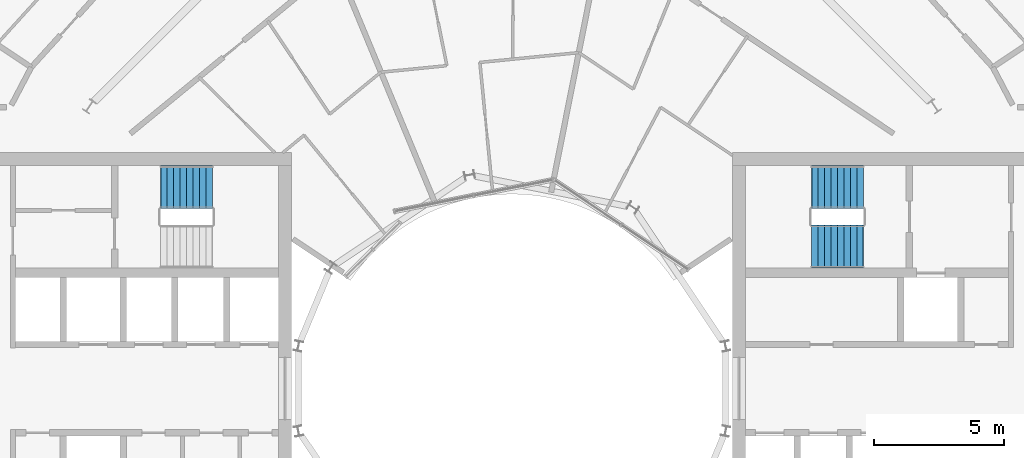
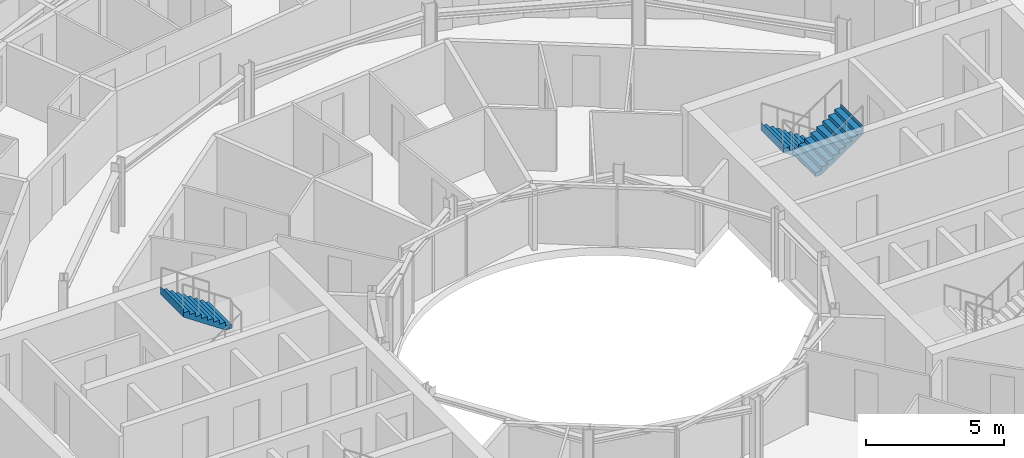
# One storey, part 25 of 27: 3 stair flights, 2 elements without a shape of their own.
"""IFC4 building model written with IfcOpenShell, lengths in metres."""

from ifc_helpers import new_model, si_unit, direction, frame, origin, place, context, subcontext, project, spatial, triangles, material, type_object, element, aggregate, save


model = new_model("IFC4")

# Units and contexts
model_context = context("Model", 3, precision=1e-05, world=origin(), true_north=direction((0.0, 1.0)))
body_context = subcontext(model_context, "Body", "Model", "MODEL_VIEW")
ifc_project = project(units=[si_unit("LENGTHUNIT", "METRE"), si_unit("AREAUNIT", "SQUARE_METRE"), si_unit("VOLUMEUNIT", "CUBIC_METRE"), si_unit("PLANEANGLEUNIT", "RADIAN"), si_unit("MASSUNIT", "GRAM", prefix="KILO")], contexts=[model_context])

# Site, building, storey
site_placement = place(None, origin())
site = spatial("IfcSite", under=ifc_project, at=site_placement, CompositionType="ELEMENT")
building_placement = place(site_placement, origin())
building = spatial("IfcBuilding", under=site, at=building_placement, Name="Maasbend Ring Residences", CompositionType="ELEMENT")
storey_placement = place(building_placement, frame((0.0, 0.0, 145.199951171875)))
storey = spatial("IfcBuildingStorey", under=building, at=storey_placement, Name="L41", CompositionType="ELEMENT", Elevation=145.199951171875)

# Stair, stair flights
ifc_material_1 = material(Name="Concrete C40/50", Category="concrete")
stair_type = type_object("IfcStairType", Name="CORE STAIR 18 RISERS", PredefinedType="HALF_TURN_STAIR", material=ifc_material_1)
stair_1_placement = place(storey_placement, origin())
stair_1 = element("IfcStair", 1, at=stair_1_placement, inside=storey, type_object=stair_type, Name="L41 Exit stair ST-E1", PredefinedType="HALF_TURN_STAIR")
ifc_material_2 = material(Name="Concrete C40/50", Category="concrete")
stair_flight_type = type_object("IfcStairFlightType", Name="CORE STAIR FLIGHT 1650", PredefinedType="STRAIGHT", material=ifc_material_2)
stair_flight_1_placement = place(storey_placement, frame((13.550048828125, 7.77490234375, 0.0), z_axis=(0.0, 0.0, 1.0), x_axis=(-1.0, 0.0, 0.0)))
stair_flight_1 = element("IfcStairFlight", 2, at=stair_flight_1_placement, type_object=stair_flight_type, Name="ST-E1 flight 1", NumberOfRisers=9, NumberOfTreads=8, PredefinedType="STRAIGHT", RiserHeight=0.169444444, TreadLength=0.25, context=body_context, shape_type="Tessellation", body=[
    triangles([(0.24072265625, 0.824951171875, -0.02001953125), (2.0029296875, 0.824951171875, 1.174560546875), (2.0029296875, 0.824951171875, 1.52490234375), (1.989990234375, 0.824951171875, 1.35546875), (1.75, 0.824951171875, 1.35546875), (1.75, 0.824951171875, 1.18603515625), (1.5, 0.824951171875, 1.18603515625), (1.5, 0.824951171875, 1.0166015625), (1.25, 0.824951171875, 1.0166015625), (1.25, 0.824951171875, 0.84716796875), (1.0, 0.824951171875, 0.84716796875), (1.0, 0.824951171875, 0.677734375), (0.75, 0.824951171875, 0.677734375), (0.75, 0.824951171875, 0.50830078125), (0.5, 0.824951171875, 0.50830078125), (0.5, 0.824951171875, 0.3388671875), (0.25, 0.824951171875, 0.3388671875), (0.25, 0.824951171875, 0.16943359375), (0.0, 0.824951171875, 0.16943359375), (0.0, 0.824951171875, 0.0), (-0.0029296875, 0.824951171875, 0.0), (-0.0029296875, 0.824951171875, -0.02001953125), (0.24072265625, 0.27490234375, -0.02001953125), (2.0029296875, 0.27490234375, 1.174560546875), (2.0029296875, 0.27490234375, 1.52490234375), (1.989990234375, 0.27490234375, 1.35546875), (1.75, 0.27490234375, 1.35546875), (1.75, 0.27490234375, 1.18603515625), (1.5, 0.27490234375, 1.18603515625), (1.5, 0.27490234375, 1.0166015625), (1.25, 0.27490234375, 1.0166015625), (1.25, 0.27490234375, 0.84716796875), (1.0, 0.27490234375, 0.84716796875), (1.0, 0.27490234375, 0.677734375), (0.75, 0.27490234375, 0.677734375), (0.75, 0.27490234375, 0.50830078125), (0.5, 0.27490234375, 0.50830078125), (0.5, 0.27490234375, 0.3388671875), (0.25, 0.27490234375, 0.3388671875), (0.25, 0.27490234375, 0.16943359375), (0.0, 0.27490234375, 0.16943359375), (0.0, 0.27490234375, 0.0), (-0.0029296875, 0.27490234375, 0.0), (-0.0029296875, 0.27490234375, -0.02001953125), (0.24072265625, -0.27490234375, -0.02001953125), (2.0029296875, -0.27490234375, 1.174560546875), (2.0029296875, -0.27490234375, 1.52490234375), (1.989990234375, -0.27490234375, 1.35546875), (1.75, -0.27490234375, 1.35546875), (1.75, -0.27490234375, 1.18603515625), (1.5, -0.27490234375, 1.18603515625), (1.5, -0.27490234375, 1.0166015625), (1.25, -0.27490234375, 1.0166015625), (1.25, -0.27490234375, 0.84716796875), (1.0, -0.27490234375, 0.84716796875), (1.0, -0.27490234375, 0.677734375), (0.75, -0.27490234375, 0.677734375), (0.75, -0.27490234375, 0.50830078125), (0.5, -0.27490234375, 0.50830078125), (0.5, -0.27490234375, 0.3388671875), (0.25, -0.27490234375, 0.3388671875), (0.25, -0.27490234375, 0.16943359375), (0.0, -0.27490234375, 0.16943359375), (0.0, -0.27490234375, 0.0), (-0.0029296875, -0.27490234375, 0.0), (-0.0029296875, -0.27490234375, -0.02001953125), (0.24072265625, -0.824951171875, -0.02001953125), (2.0029296875, -0.824951171875, 1.174560546875), (2.0029296875, -0.824951171875, 1.52490234375), (1.989990234375, -0.824951171875, 1.35546875), (1.75, -0.824951171875, 1.35546875), (1.75, -0.824951171875, 1.18603515625), (1.5, -0.824951171875, 1.18603515625), (1.5, -0.824951171875, 1.0166015625), (1.25, -0.824951171875, 1.0166015625), (1.25, -0.824951171875, 0.84716796875), (1.0, -0.824951171875, 0.84716796875), (1.0, -0.824951171875, 0.677734375), (0.75, -0.824951171875, 0.677734375), (0.75, -0.824951171875, 0.50830078125), (0.5, -0.824951171875, 0.50830078125), (0.5, -0.824951171875, 0.3388671875), (0.25, -0.824951171875, 0.3388671875), (0.25, -0.824951171875, 0.16943359375), (0.0, -0.824951171875, 0.16943359375), (0.0, -0.824951171875, 0.0), (-0.0029296875, -0.824951171875, 0.0), (-0.0029296875, -0.824951171875, -0.02001953125)], [[1, 2, 24], [1, 24, 23], [23, 24, 46], [23, 46, 45], [45, 46, 68], [45, 68, 67], [2, 3, 25], [2, 25, 24], [24, 25, 47], [24, 47, 46], [46, 47, 69], [46, 69, 68], [3, 4, 26], [3, 26, 25], [25, 26, 48], [25, 48, 47], [47, 48, 70], [47, 70, 69], [4, 5, 27], [4, 27, 26], [26, 27, 49], [26, 49, 48], [48, 49, 71], [48, 71, 70], [5, 6, 28], [5, 28, 27], [27, 28, 50], [27, 50, 49], [49, 50, 72], [49, 72, 71], [6, 7, 29], [6, 29, 28], [28, 29, 51], [28, 51, 50], [50, 51, 73], [50, 73, 72], [7, 8, 30], [7, 30, 29], [29, 30, 52], [29, 52, 51], [51, 52, 74], [51, 74, 73], [8, 9, 31], [8, 31, 30], [30, 31, 53], [30, 53, 52], [52, 53, 75], [52, 75, 74], [9, 10, 32], [9, 32, 31], [31, 32, 54], [31, 54, 53], [53, 54, 76], [53, 76, 75], [10, 11, 33], [10, 33, 32], [32, 33, 55], [32, 55, 54], [54, 55, 77], [54, 77, 76], [11, 12, 34], [11, 34, 33], [33, 34, 56], [33, 56, 55], [55, 56, 78], [55, 78, 77], [12, 13, 35], [12, 35, 34], [34, 35, 57], [34, 57, 56], [56, 57, 79], [56, 79, 78], [13, 14, 36], [13, 36, 35], [35, 36, 58], [35, 58, 57], [57, 58, 80], [57, 80, 79], [14, 15, 37], [14, 37, 36], [36, 37, 59], [36, 59, 58], [58, 59, 81], [58, 81, 80], [15, 16, 38], [15, 38, 37], [37, 38, 60], [37, 60, 59], [59, 60, 82], [59, 82, 81], [16, 17, 39], [16, 39, 38], [38, 39, 61], [38, 61, 60], [60, 61, 83], [60, 83, 82], [17, 18, 40], [17, 40, 39], [39, 40, 62], [39, 62, 61], [61, 62, 84], [61, 84, 83], [18, 19, 41], [18, 41, 40], [40, 41, 63], [40, 63, 62], [62, 63, 85], [62, 85, 84], [19, 20, 42], [19, 42, 41], [41, 42, 64], [41, 64, 63], [63, 64, 86], [63, 86, 85], [20, 21, 43], [20, 43, 42], [42, 43, 65], [42, 65, 64], [64, 65, 87], [64, 87, 86], [21, 22, 44], [21, 44, 43], [43, 44, 66], [43, 66, 65], [65, 66, 88], [65, 88, 87], [22, 1, 23], [22, 23, 44], [44, 23, 45], [44, 45, 66], [66, 45, 67], [66, 67, 88], [22, 2, 1], [2, 4, 3], [2, 5, 4], [2, 6, 5], [22, 6, 2], [6, 8, 7], [22, 8, 6], [8, 10, 9], [22, 10, 8], [10, 12, 11], [22, 12, 10], [12, 14, 13], [22, 14, 12], [14, 16, 15], [22, 16, 14], [16, 18, 17], [22, 18, 16], [18, 20, 19], [22, 20, 18], [20, 22, 21], [88, 67, 68], [68, 69, 70], [68, 70, 71], [68, 71, 72], [88, 68, 72], [72, 73, 74], [88, 72, 74], [74, 75, 76], [88, 74, 76], [76, 77, 78], [88, 76, 78], [78, 79, 80], [88, 78, 80], [80, 81, 82], [88, 80, 82], [82, 83, 84], [88, 82, 84], [84, 85, 86], [88, 84, 86], [86, 87, 88]], closed=True),
])
stair_flight_2_placement = place(storey_placement, frame((11.550048828125, 5.47509765625, 1.525146484375), z_axis=(0.0, 0.0, 1.0), x_axis=(1.0, 0.0, 0.0)))
stair_flight_2 = element("IfcStairFlight", 3, at=stair_flight_2_placement, type_object=stair_flight_type, Name="ST-E1 flight 2", NumberOfRisers=9, NumberOfTreads=8, PredefinedType="STRAIGHT", RiserHeight=0.169444444, TreadLength=0.25, context=body_context, shape_type="Tessellation", body=[
    triangles([(0.24072265625, 0.824951171875, -0.02001953125), (2.0029296875, 0.824951171875, 1.174560546875), (2.0029296875, 0.824951171875, 1.52490234375), (1.989990234375, 0.824951171875, 1.35546875), (1.75, 0.824951171875, 1.35546875), (1.75, 0.824951171875, 1.18603515625), (1.5, 0.824951171875, 1.18603515625), (1.5, 0.824951171875, 1.0166015625), (1.25, 0.824951171875, 1.0166015625), (1.25, 0.824951171875, 0.84716796875), (1.0, 0.824951171875, 0.84716796875), (1.0, 0.824951171875, 0.677734375), (0.75, 0.824951171875, 0.677734375), (0.75, 0.824951171875, 0.50830078125), (0.5, 0.824951171875, 0.50830078125), (0.5, 0.824951171875, 0.3388671875), (0.25, 0.824951171875, 0.3388671875), (0.25, 0.824951171875, 0.16943359375), (0.0, 0.824951171875, 0.16943359375), (0.0, 0.824951171875, 0.0), (-0.0029296875, 0.824951171875, 0.0), (-0.0029296875, 0.824951171875, -0.02001953125), (0.24072265625, 0.27490234375, -0.02001953125), (2.0029296875, 0.27490234375, 1.174560546875), (2.0029296875, 0.27490234375, 1.52490234375), (1.989990234375, 0.27490234375, 1.35546875), (1.75, 0.27490234375, 1.35546875), (1.75, 0.27490234375, 1.18603515625), (1.5, 0.27490234375, 1.18603515625), (1.5, 0.27490234375, 1.0166015625), (1.25, 0.27490234375, 1.0166015625), (1.25, 0.27490234375, 0.84716796875), (1.0, 0.27490234375, 0.84716796875), (1.0, 0.27490234375, 0.677734375), (0.75, 0.27490234375, 0.677734375), (0.75, 0.27490234375, 0.50830078125), (0.5, 0.27490234375, 0.50830078125), (0.5, 0.27490234375, 0.3388671875), (0.25, 0.27490234375, 0.3388671875), (0.25, 0.27490234375, 0.16943359375), (0.0, 0.27490234375, 0.16943359375), (0.0, 0.27490234375, 0.0), (-0.0029296875, 0.27490234375, 0.0), (-0.0029296875, 0.27490234375, -0.02001953125), (0.24072265625, -0.27490234375, -0.02001953125), (2.0029296875, -0.27490234375, 1.174560546875), (2.0029296875, -0.27490234375, 1.52490234375), (1.989990234375, -0.27490234375, 1.35546875), (1.75, -0.27490234375, 1.35546875), (1.75, -0.27490234375, 1.18603515625), (1.5, -0.27490234375, 1.18603515625), (1.5, -0.27490234375, 1.0166015625), (1.25, -0.27490234375, 1.0166015625), (1.25, -0.27490234375, 0.84716796875), (1.0, -0.27490234375, 0.84716796875), (1.0, -0.27490234375, 0.677734375), (0.75, -0.27490234375, 0.677734375), (0.75, -0.27490234375, 0.50830078125), (0.5, -0.27490234375, 0.50830078125), (0.5, -0.27490234375, 0.3388671875), (0.25, -0.27490234375, 0.3388671875), (0.25, -0.27490234375, 0.16943359375), (0.0, -0.27490234375, 0.16943359375), (0.0, -0.27490234375, 0.0), (-0.0029296875, -0.27490234375, 0.0), (-0.0029296875, -0.27490234375, -0.02001953125), (0.24072265625, -0.824951171875, -0.02001953125), (2.0029296875, -0.824951171875, 1.174560546875), (2.0029296875, -0.824951171875, 1.52490234375), (1.989990234375, -0.824951171875, 1.35546875), (1.75, -0.824951171875, 1.35546875), (1.75, -0.824951171875, 1.18603515625), (1.5, -0.824951171875, 1.18603515625), (1.5, -0.824951171875, 1.0166015625), (1.25, -0.824951171875, 1.0166015625), (1.25, -0.824951171875, 0.84716796875), (1.0, -0.824951171875, 0.84716796875), (1.0, -0.824951171875, 0.677734375), (0.75, -0.824951171875, 0.677734375), (0.75, -0.824951171875, 0.50830078125), (0.5, -0.824951171875, 0.50830078125), (0.5, -0.824951171875, 0.3388671875), (0.25, -0.824951171875, 0.3388671875), (0.25, -0.824951171875, 0.16943359375), (0.0, -0.824951171875, 0.16943359375), (0.0, -0.824951171875, 0.0), (-0.0029296875, -0.824951171875, 0.0), (-0.0029296875, -0.824951171875, -0.02001953125)], [[1, 2, 24], [1, 24, 23], [23, 24, 46], [23, 46, 45], [45, 46, 68], [45, 68, 67], [2, 3, 25], [2, 25, 24], [24, 25, 47], [24, 47, 46], [46, 47, 69], [46, 69, 68], [3, 4, 26], [3, 26, 25], [25, 26, 48], [25, 48, 47], [47, 48, 70], [47, 70, 69], [4, 5, 27], [4, 27, 26], [26, 27, 49], [26, 49, 48], [48, 49, 71], [48, 71, 70], [5, 6, 28], [5, 28, 27], [27, 28, 50], [27, 50, 49], [49, 50, 72], [49, 72, 71], [6, 7, 29], [6, 29, 28], [28, 29, 51], [28, 51, 50], [50, 51, 73], [50, 73, 72], [7, 8, 30], [7, 30, 29], [29, 30, 52], [29, 52, 51], [51, 52, 74], [51, 74, 73], [8, 9, 31], [8, 31, 30], [30, 31, 53], [30, 53, 52], [52, 53, 75], [52, 75, 74], [9, 10, 32], [9, 32, 31], [31, 32, 54], [31, 54, 53], [53, 54, 76], [53, 76, 75], [10, 11, 33], [10, 33, 32], [32, 33, 55], [32, 55, 54], [54, 55, 77], [54, 77, 76], [11, 12, 34], [11, 34, 33], [33, 34, 56], [33, 56, 55], [55, 56, 78], [55, 78, 77], [12, 13, 35], [12, 35, 34], [34, 35, 57], [34, 57, 56], [56, 57, 79], [56, 79, 78], [13, 14, 36], [13, 36, 35], [35, 36, 58], [35, 58, 57], [57, 58, 80], [57, 80, 79], [14, 15, 37], [14, 37, 36], [36, 37, 59], [36, 59, 58], [58, 59, 81], [58, 81, 80], [15, 16, 38], [15, 38, 37], [37, 38, 60], [37, 60, 59], [59, 60, 82], [59, 82, 81], [16, 17, 39], [16, 39, 38], [38, 39, 61], [38, 61, 60], [60, 61, 83], [60, 83, 82], [17, 18, 40], [17, 40, 39], [39, 40, 62], [39, 62, 61], [61, 62, 84], [61, 84, 83], [18, 19, 41], [18, 41, 40], [40, 41, 63], [40, 63, 62], [62, 63, 85], [62, 85, 84], [19, 20, 42], [19, 42, 41], [41, 42, 64], [41, 64, 63], [63, 64, 86], [63, 86, 85], [20, 21, 43], [20, 43, 42], [42, 43, 65], [42, 65, 64], [64, 65, 87], [64, 87, 86], [21, 22, 44], [21, 44, 43], [43, 44, 66], [43, 66, 65], [65, 66, 88], [65, 88, 87], [22, 1, 23], [22, 23, 44], [44, 23, 45], [44, 45, 66], [66, 45, 67], [66, 67, 88], [22, 2, 1], [2, 4, 3], [2, 5, 4], [2, 6, 5], [22, 6, 2], [6, 8, 7], [22, 8, 6], [8, 10, 9], [22, 10, 8], [10, 12, 11], [22, 12, 10], [12, 14, 13], [22, 14, 12], [14, 16, 15], [22, 16, 14], [16, 18, 17], [22, 18, 16], [18, 20, 19], [22, 20, 18], [20, 22, 21], [88, 67, 68], [68, 69, 70], [68, 70, 71], [68, 71, 72], [88, 68, 72], [72, 73, 74], [88, 72, 74], [74, 75, 76], [88, 74, 76], [76, 77, 78], [88, 76, 78], [78, 79, 80], [88, 78, 80], [80, 81, 82], [88, 80, 82], [82, 83, 84], [88, 82, 84], [84, 85, 86], [88, 84, 86], [86, 87, 88]], closed=True),
])
aggregate(stair_1, [stair_flight_1, stair_flight_2])

# Stair, stair flight
stair_2_placement = place(storey_placement, origin())
stair_2 = element("IfcStair", 4, at=stair_2_placement, inside=storey, type_object=stair_type, Name="L41 Exit stair ST-W2", PredefinedType="HALF_TURN_STAIR")
stair_flight_3_placement = place(storey_placement, frame((-11.550048828125, 7.77490234375, 1.525146484375), z_axis=(0.0, 0.0, 1.0), x_axis=(-1.0, 0.0, 0.0)))
stair_flight_3 = element("IfcStairFlight", 5, at=stair_flight_3_placement, type_object=stair_flight_type, Name="ST-W2 flight 2", NumberOfRisers=9, NumberOfTreads=8, PredefinedType="STRAIGHT", RiserHeight=0.169444444, TreadLength=0.25, context=body_context, shape_type="Tessellation", body=[
    triangles([(0.24072265625, 0.824951171875, -0.02001953125), (2.0029296875, 0.824951171875, 1.174560546875), (2.0029296875, 0.824951171875, 1.52490234375), (1.989990234375, 0.824951171875, 1.35546875), (1.75, 0.824951171875, 1.35546875), (1.75, 0.824951171875, 1.18603515625), (1.5, 0.824951171875, 1.18603515625), (1.5, 0.824951171875, 1.0166015625), (1.25, 0.824951171875, 1.0166015625), (1.25, 0.824951171875, 0.84716796875), (1.0, 0.824951171875, 0.84716796875), (1.0, 0.824951171875, 0.677734375), (0.75, 0.824951171875, 0.677734375), (0.75, 0.824951171875, 0.50830078125), (0.5, 0.824951171875, 0.50830078125), (0.5, 0.824951171875, 0.3388671875), (0.25, 0.824951171875, 0.3388671875), (0.25, 0.824951171875, 0.16943359375), (0.0, 0.824951171875, 0.16943359375), (0.0, 0.824951171875, 0.0), (-0.0029296875, 0.824951171875, 0.0), (-0.0029296875, 0.824951171875, -0.02001953125), (0.24072265625, 0.27490234375, -0.02001953125), (2.0029296875, 0.27490234375, 1.174560546875), (2.0029296875, 0.27490234375, 1.52490234375), (1.989990234375, 0.27490234375, 1.35546875), (1.75, 0.27490234375, 1.35546875), (1.75, 0.27490234375, 1.18603515625), (1.5, 0.27490234375, 1.18603515625), (1.5, 0.27490234375, 1.0166015625), (1.25, 0.27490234375, 1.0166015625), (1.25, 0.27490234375, 0.84716796875), (1.0, 0.27490234375, 0.84716796875), (1.0, 0.27490234375, 0.677734375), (0.75, 0.27490234375, 0.677734375), (0.75, 0.27490234375, 0.50830078125), (0.5, 0.27490234375, 0.50830078125), (0.5, 0.27490234375, 0.3388671875), (0.25, 0.27490234375, 0.3388671875), (0.25, 0.27490234375, 0.16943359375), (0.0, 0.27490234375, 0.16943359375), (0.0, 0.27490234375, 0.0), (-0.0029296875, 0.27490234375, 0.0), (-0.0029296875, 0.27490234375, -0.02001953125), (0.24072265625, -0.27490234375, -0.02001953125), (2.0029296875, -0.27490234375, 1.174560546875), (2.0029296875, -0.27490234375, 1.52490234375), (1.989990234375, -0.27490234375, 1.35546875), (1.75, -0.27490234375, 1.35546875), (1.75, -0.27490234375, 1.18603515625), (1.5, -0.27490234375, 1.18603515625), (1.5, -0.27490234375, 1.0166015625), (1.25, -0.27490234375, 1.0166015625), (1.25, -0.27490234375, 0.84716796875), (1.0, -0.27490234375, 0.84716796875), (1.0, -0.27490234375, 0.677734375), (0.75, -0.27490234375, 0.677734375), (0.75, -0.27490234375, 0.50830078125), (0.5, -0.27490234375, 0.50830078125), (0.5, -0.27490234375, 0.3388671875), (0.25, -0.27490234375, 0.3388671875), (0.25, -0.27490234375, 0.16943359375), (0.0, -0.27490234375, 0.16943359375), (0.0, -0.27490234375, 0.0), (-0.0029296875, -0.27490234375, 0.0), (-0.0029296875, -0.27490234375, -0.02001953125), (0.24072265625, -0.824951171875, -0.02001953125), (2.0029296875, -0.824951171875, 1.174560546875), (2.0029296875, -0.824951171875, 1.52490234375), (1.989990234375, -0.824951171875, 1.35546875), (1.75, -0.824951171875, 1.35546875), (1.75, -0.824951171875, 1.18603515625), (1.5, -0.824951171875, 1.18603515625), (1.5, -0.824951171875, 1.0166015625), (1.25, -0.824951171875, 1.0166015625), (1.25, -0.824951171875, 0.84716796875), (1.0, -0.824951171875, 0.84716796875), (1.0, -0.824951171875, 0.677734375), (0.75, -0.824951171875, 0.677734375), (0.75, -0.824951171875, 0.50830078125), (0.5, -0.824951171875, 0.50830078125), (0.5, -0.824951171875, 0.3388671875), (0.25, -0.824951171875, 0.3388671875), (0.25, -0.824951171875, 0.16943359375), (0.0, -0.824951171875, 0.16943359375), (0.0, -0.824951171875, 0.0), (-0.0029296875, -0.824951171875, 0.0), (-0.0029296875, -0.824951171875, -0.02001953125)], [[1, 2, 24], [1, 24, 23], [23, 24, 46], [23, 46, 45], [45, 46, 68], [45, 68, 67], [2, 3, 25], [2, 25, 24], [24, 25, 47], [24, 47, 46], [46, 47, 69], [46, 69, 68], [3, 4, 26], [3, 26, 25], [25, 26, 48], [25, 48, 47], [47, 48, 70], [47, 70, 69], [4, 5, 27], [4, 27, 26], [26, 27, 49], [26, 49, 48], [48, 49, 71], [48, 71, 70], [5, 6, 28], [5, 28, 27], [27, 28, 50], [27, 50, 49], [49, 50, 72], [49, 72, 71], [6, 7, 29], [6, 29, 28], [28, 29, 51], [28, 51, 50], [50, 51, 73], [50, 73, 72], [7, 8, 30], [7, 30, 29], [29, 30, 52], [29, 52, 51], [51, 52, 74], [51, 74, 73], [8, 9, 31], [8, 31, 30], [30, 31, 53], [30, 53, 52], [52, 53, 75], [52, 75, 74], [9, 10, 32], [9, 32, 31], [31, 32, 54], [31, 54, 53], [53, 54, 76], [53, 76, 75], [10, 11, 33], [10, 33, 32], [32, 33, 55], [32, 55, 54], [54, 55, 77], [54, 77, 76], [11, 12, 34], [11, 34, 33], [33, 34, 56], [33, 56, 55], [55, 56, 78], [55, 78, 77], [12, 13, 35], [12, 35, 34], [34, 35, 57], [34, 57, 56], [56, 57, 79], [56, 79, 78], [13, 14, 36], [13, 36, 35], [35, 36, 58], [35, 58, 57], [57, 58, 80], [57, 80, 79], [14, 15, 37], [14, 37, 36], [36, 37, 59], [36, 59, 58], [58, 59, 81], [58, 81, 80], [15, 16, 38], [15, 38, 37], [37, 38, 60], [37, 60, 59], [59, 60, 82], [59, 82, 81], [16, 17, 39], [16, 39, 38], [38, 39, 61], [38, 61, 60], [60, 61, 83], [60, 83, 82], [17, 18, 40], [17, 40, 39], [39, 40, 62], [39, 62, 61], [61, 62, 84], [61, 84, 83], [18, 19, 41], [18, 41, 40], [40, 41, 63], [40, 63, 62], [62, 63, 85], [62, 85, 84], [19, 20, 42], [19, 42, 41], [41, 42, 64], [41, 64, 63], [63, 64, 86], [63, 86, 85], [20, 21, 43], [20, 43, 42], [42, 43, 65], [42, 65, 64], [64, 65, 87], [64, 87, 86], [21, 22, 44], [21, 44, 43], [43, 44, 66], [43, 66, 65], [65, 66, 88], [65, 88, 87], [22, 1, 23], [22, 23, 44], [44, 23, 45], [44, 45, 66], [66, 45, 67], [66, 67, 88], [22, 2, 1], [2, 4, 3], [2, 5, 4], [2, 6, 5], [22, 6, 2], [6, 8, 7], [22, 8, 6], [8, 10, 9], [22, 10, 8], [10, 12, 11], [22, 12, 10], [12, 14, 13], [22, 14, 12], [14, 16, 15], [22, 16, 14], [16, 18, 17], [22, 18, 16], [18, 20, 19], [22, 20, 18], [20, 22, 21], [88, 67, 68], [68, 69, 70], [68, 70, 71], [68, 71, 72], [88, 68, 72], [72, 73, 74], [88, 72, 74], [74, 75, 76], [88, 74, 76], [76, 77, 78], [88, 76, 78], [78, 79, 80], [88, 78, 80], [80, 81, 82], [88, 80, 82], [82, 83, 84], [88, 82, 84], [84, 85, 86], [88, 84, 86], [86, 87, 88]], closed=True),
])
aggregate(stair_2, [stair_flight_3])

save(model, "model.ifc")
